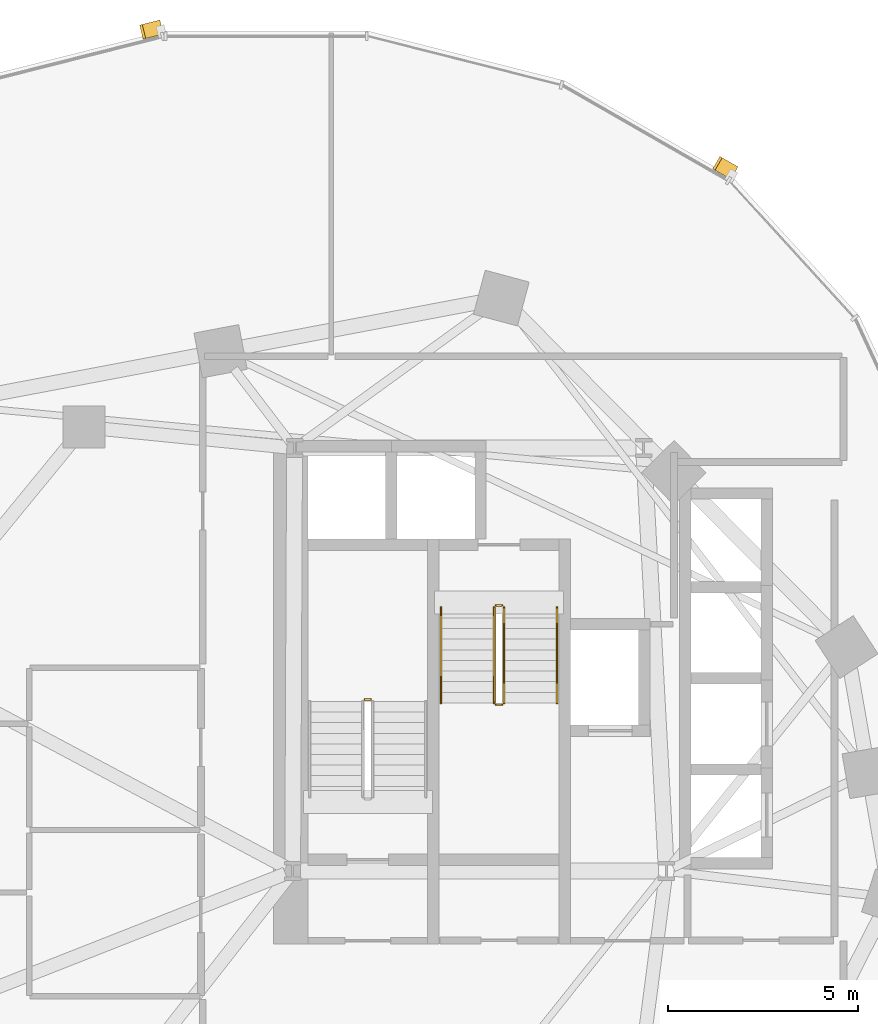
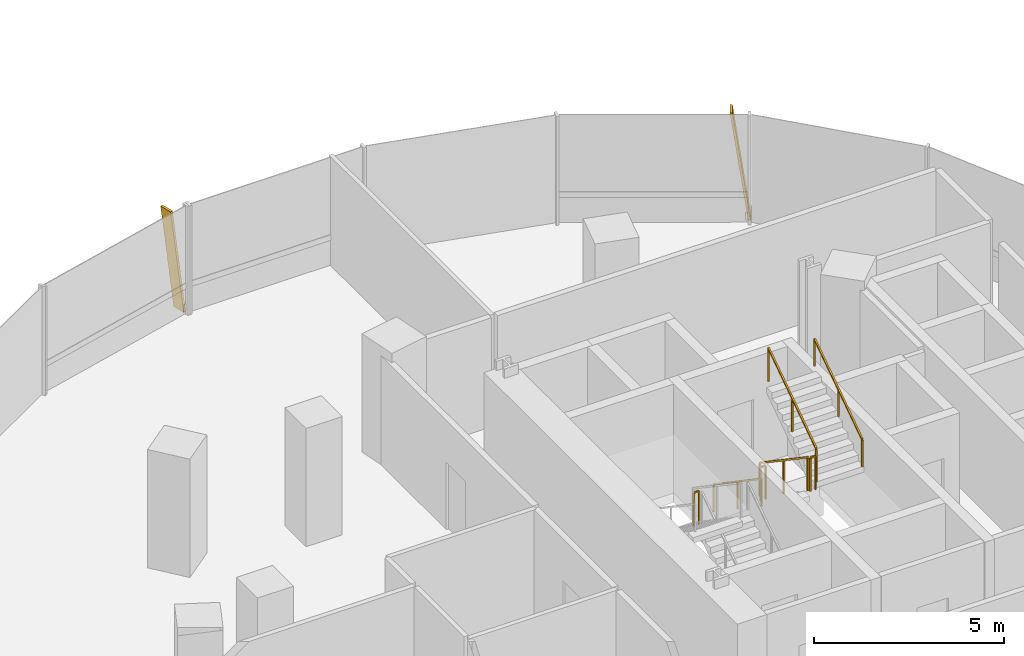
# One storey, part 19 of 21: 7 railings, 2 shading devices.
"""IFC4 building model written with IfcOpenShell, lengths in metres."""

from ifc_helpers import new_model, si_unit, direction, frame, origin, origin_2d, place, context, subcontext, project, spatial, rectangle, extrude, material, material_profile, profile_set, type_object, element, save


model = new_model("IFC4")

# Units and contexts
model_context = context("Model", 3, precision=1e-05, world=origin(), true_north=direction((0.0, 1.0)))
body_context = subcontext(model_context, "Body", "Model", "MODEL_VIEW")
ifc_project = project(units=[si_unit("LENGTHUNIT", "METRE"), si_unit("AREAUNIT", "SQUARE_METRE"), si_unit("VOLUMEUNIT", "CUBIC_METRE"), si_unit("PLANEANGLEUNIT", "RADIAN"), si_unit("MASSUNIT", "GRAM", prefix="KILO"), si_unit("THERMODYNAMICTEMPERATUREUNIT", "KELVIN"), si_unit("POWERUNIT", "WATT")], contexts=[model_context])

# Site, building, storey
site_placement = place(None, origin())
site = spatial("IfcSite", under=ifc_project, at=site_placement, CompositionType="ELEMENT")
building_placement = place(site_placement, origin())
building = spatial("IfcBuilding", under=site, at=building_placement, Name="Cundina Bronze Exchange", CompositionType="ELEMENT")
storey_placement = place(building_placement, frame((0.0, 0.0, 54.39990234375)))
storey = spatial("IfcBuildingStorey", under=building, at=storey_placement, Name="L13", CompositionType="ELEMENT", Elevation=54.39990234375)

# Railings
ifc_material_1 = material(Name="Steel ASTM A36 Painted", Category="steel")
railing_type_1 = type_object("IfcRailingType", Name="RLG-HND-900", PredefinedType="HANDRAIL", material=ifc_material_1)
railing_1_placement = place(storey_placement, frame((-27.389892578125, 10.85009765625, 0.190185546875)))
element("IfcRailing", 1, at=railing_1_placement, inside=storey, type_object=railing_type_1, Name="L13 ST-W2 stair handrail 1", PredefinedType="HANDRAIL", context=body_context, shape_type="SweptSolid", body=[
    extrude(rectangle(XDim=0.048095703125, YDim=0.048095703125, at=origin_2d()), frame((0.0, 0.0, 0.8759765625), z_axis=(0.0, -0.827483756001, 0.561489655786), x_axis=(1.0, 0.0, 0.0)), (0.0, 0.0, 1.0), 3.04541015625),
    extrude(rectangle(XDim=0.0419921875, YDim=0.0419921875, at=origin_2d()), origin(), (0.0, 0.0, 1.0), 0.851806640625),
    extrude(rectangle(XDim=0.0419921875, YDim=0.0419921875, at=origin_2d()), frame((0.0, -1.260009765625, 0.85498046875)), (0.0, 0.0, 1.0), 0.851806640625),
    extrude(rectangle(XDim=0.0419921875, YDim=0.0419921875, at=origin_2d()), frame((0.0, -2.52001953125, 1.7099609375)), (0.0, 0.0, 1.0), 0.851806640625),
])
railing_2_placement = place(storey_placement, frame((-24.330078125, 8.330078125, 2.090087890625)))
element("IfcRailing", 2, at=railing_2_placement, inside=storey, type_object=railing_type_1, Name="L13 ST-W2 stair handrail 2", PredefinedType="HANDRAIL", context=body_context, shape_type="SweptSolid", body=[
    extrude(rectangle(XDim=0.048095703125, YDim=0.048095703125, at=origin_2d()), frame((0.0, 0.0, 0.8759765625), z_axis=(0.0, 0.827483756001, 0.561489655786), x_axis=(-1.0, 0.0, 0.0)), (0.0, 0.0, 1.0), 3.04541015625),
    extrude(rectangle(XDim=0.0419921875, YDim=0.0419921875, at=origin_2d()), origin(), (0.0, 0.0, 1.0), 0.851806640625),
    extrude(rectangle(XDim=0.0419921875, YDim=0.0419921875, at=origin_2d()), frame((0.0, 1.260009765625, 0.85498046875)), (0.0, 0.0, 1.0), 0.851806640625),
    extrude(rectangle(XDim=0.0419921875, YDim=0.0419921875, at=origin_2d()), frame((0.0, 2.52001953125, 1.7099609375)), (0.0, 0.0, 1.0), 0.851806640625),
])
railing_type_2 = type_object("IfcRailingType", Name="RLG-STG-1100", PredefinedType="GUARDRAIL", material=ifc_material_1)
railing_3_placement = place(storey_placement, frame((-29.239990234375, 8.419921875, 1.900146484375)))
element("IfcRailing", 3, at=railing_3_placement, inside=storey, type_object=railing_type_2, Name="L13 ST-W1 stair guard 2", PredefinedType="GUARDRAIL", context=body_context, shape_type="SweptSolid", body=[
    extrude(rectangle(XDim=0.048095703125, YDim=0.048095703125, at=origin_2d()), frame((0.0, 0.0, 1.076171875), z_axis=(-1.0, 0.0, 0.0), x_axis=(0.0, -1.0, 0.0)), (0.0, 0.0, 1.0), 0.159912109375),
    extrude(rectangle(XDim=0.0419921875, YDim=0.0419921875, at=origin_2d()), origin(), (0.0, 0.0, 1.0), 1.052001953125),
    extrude(rectangle(XDim=0.0419921875, YDim=0.0419921875, at=origin_2d()), frame((-0.159912109375, 0.0, 0.0)), (0.0, 0.0, 1.0), 1.052001953125),
])
railing_4_placement = place(storey_placement, frame((-25.989990234375, 10.85009765625, 0.190185546875)))
element("IfcRailing", 4, at=railing_4_placement, inside=storey, type_object=railing_type_2, Name="L13 ST-W2 stair guard 1", PredefinedType="GUARDRAIL", context=body_context, shape_type="SweptSolid", body=[
    extrude(rectangle(XDim=0.048095703125, YDim=0.048095703125, at=origin_2d()), frame((0.0, 0.0, 1.076171875), z_axis=(0.0, -0.827483756001, 0.561489655786), x_axis=(1.0, 0.0, 0.0)), (0.0, 0.0, 1.0), 3.04541015625),
    extrude(rectangle(XDim=0.0419921875, YDim=0.0419921875, at=origin_2d()), origin(), (0.0, 0.0, 1.0), 1.052001953125),
    extrude(rectangle(XDim=0.0419921875, YDim=0.0419921875, at=origin_2d()), frame((0.0, -1.260009765625, 0.85498046875)), (0.0, 0.0, 1.0), 1.052001953125),
    extrude(rectangle(XDim=0.0419921875, YDim=0.0419921875, at=origin_2d()), frame((0.0, -2.52001953125, 1.7099609375)), (0.0, 0.0, 1.0), 1.052001953125),
])
railing_5_placement = place(storey_placement, frame((-25.93994140625, 8.280029296875, 1.900146484375)))
element("IfcRailing", 5, at=railing_5_placement, inside=storey, type_object=railing_type_2, Name="L13 ST-W2 stair guard 2", PredefinedType="GUARDRAIL", context=body_context, shape_type="SweptSolid", body=[
    extrude(rectangle(XDim=0.048095703125, YDim=0.048095703125, at=origin_2d()), frame((0.0, 0.0, 1.076171875), z_axis=(1.0, 0.0, 0.0), x_axis=(0.0, 1.0, 0.0)), (0.0, 0.0, 1.0), 0.159912109375),
    extrude(rectangle(XDim=0.0419921875, YDim=0.0419921875, at=origin_2d()), origin(), (0.0, 0.0, 1.0), 1.052001953125),
    extrude(rectangle(XDim=0.0419921875, YDim=0.0419921875, at=origin_2d()), frame((0.159912109375, 0.0, 0.0)), (0.0, 0.0, 1.0), 1.052001953125),
])
railing_6_placement = place(storey_placement, frame((-25.72998046875, 8.330078125, 2.090087890625)))
element("IfcRailing", 6, at=railing_6_placement, inside=storey, type_object=railing_type_2, Name="L13 ST-W2 stair guard 3", PredefinedType="GUARDRAIL", context=body_context, shape_type="SweptSolid", body=[
    extrude(rectangle(XDim=0.048095703125, YDim=0.048095703125, at=origin_2d()), frame((0.0, 0.0, 1.076171875), z_axis=(0.0, 0.827483756001, 0.561489655786), x_axis=(-1.0, 0.0, 0.0)), (0.0, 0.0, 1.0), 3.04541015625),
    extrude(rectangle(XDim=0.0419921875, YDim=0.0419921875, at=origin_2d()), origin(), (0.0, 0.0, 1.0), 1.052001953125),
    extrude(rectangle(XDim=0.0419921875, YDim=0.0419921875, at=origin_2d()), frame((0.0, 1.260009765625, 0.85498046875)), (0.0, 0.0, 1.0), 1.052001953125),
    extrude(rectangle(XDim=0.0419921875, YDim=0.0419921875, at=origin_2d()), frame((0.0, 2.52001953125, 1.7099609375)), (0.0, 0.0, 1.0), 1.052001953125),
])
railing_7_placement = place(storey_placement, frame((-25.93994140625, 10.89990234375, 0.0)))
element("IfcRailing", 7, at=railing_7_placement, inside=storey, type_object=railing_type_2, Name="L13 ST-W2 stair guard 4", PredefinedType="GUARDRAIL", context=body_context, shape_type="SweptSolid", body=[
    extrude(rectangle(XDim=0.048095703125, YDim=0.048095703125, at=origin_2d()), frame((0.0, 0.0, 1.076171875), z_axis=(1.0, 0.0, 0.0), x_axis=(0.0, 1.0, 0.0)), (0.0, 0.0, 1.0), 0.159912109375),
    extrude(rectangle(XDim=0.0419921875, YDim=0.0419921875, at=origin_2d()), origin(), (0.0, 0.0, 1.0), 1.052001953125),
    extrude(rectangle(XDim=0.0419921875, YDim=0.0419921875, at=origin_2d()), frame((0.159912109375, 0.0, 0.0)), (0.0, 0.0, 1.0), 1.052001953125),
])

# Shading devices
ifc_material_2 = material(Name="Anodised Bronze Aluminium 6063-T6", Category="aluminium")
ifc_material_profile = material_profile(ifc_material_2, rectangle(XDim=0.070068359375, YDim=0.3798828125, at=origin_2d()), Name="FIN70X380", Category="aluminium")
ifc_profile_set = profile_set([ifc_material_profile], Name="Anodised Bronze Aluminium 6063-T6")
shading_device_type = type_object("IfcShadingDeviceType", Name="SHD-FIN-BRZ380", PredefinedType="USERDEFINED", material=ifc_profile_set)
for number, where, z_axis, x_axis, name in (
    (8, (-19.685791015625, 22.314208984375, 0.02001953125), (-0.119166378275, 0.06842456559, 0.990513731915), (0.85898178632, -0.493221799887, 0.137413779831), "L13 Diagonal Bronze Solar Fin 5"),
    (9, (-34.787353515625, 26.138427734375, 0.02001953125), (-0.133214830938, -0.033688115694, 0.990514472221), (0.960284642503, 0.242842181368, 0.137408443412), "L13 Diagonal Bronze Solar Fin 1"),
):
    element("IfcShadingDevice", number, at=place(storey_placement, frame(where, z_axis=z_axis, x_axis=x_axis)), inside=storey, type_object=shading_device_type, Name=name, ObjectType="FIN", PredefinedType="USERDEFINED", context=body_context, shape_type="SweptSolid", body=[
        extrude(rectangle(XDim=0.070068359375, YDim=0.3798828125, at=origin_2d()), origin(), (0.0, 0.0, 1.0), 3.4931640625),
    ])

save(model, "model.ifc")
